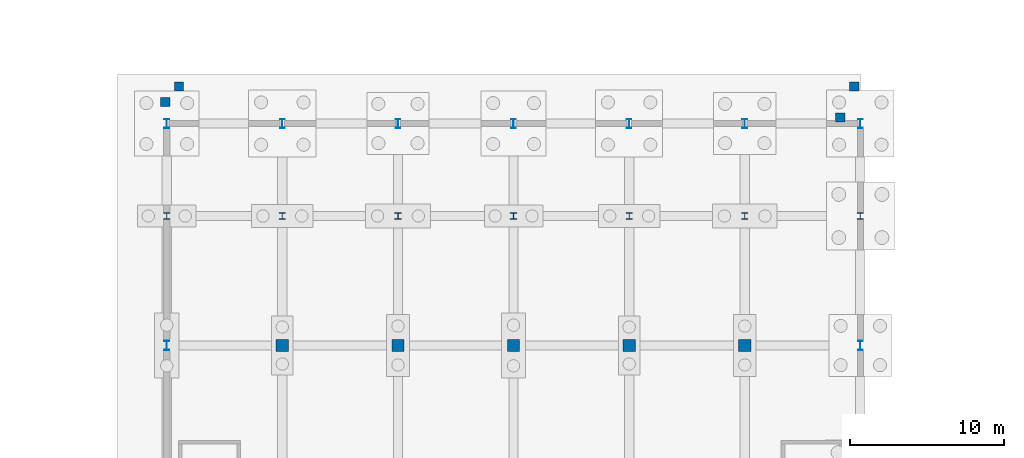
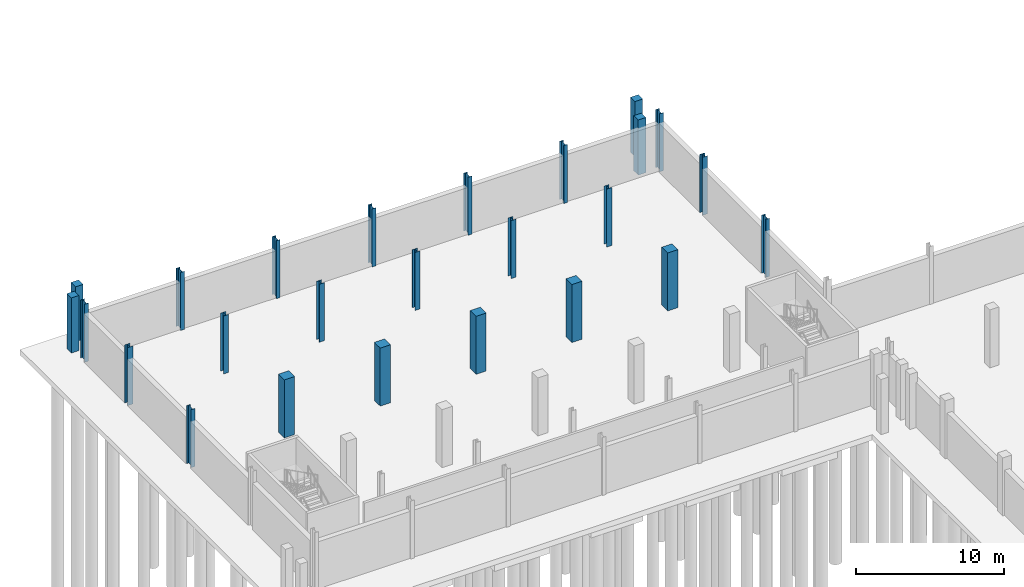
# One storey, part 24 of 44: 25 columns.
"""IFC4 building model written with IfcOpenShell, lengths in metres."""

from ifc_helpers import new_model, si_unit, direction, frame, origin, origin_2d, place, context, subcontext, project, spatial, rectangle, i_section, extrude, material, material_profile, profile_set, type_object, element, save


model = new_model("IFC4")

# Units and contexts
model_context = context("Model", 3, precision=1e-05, world=origin(), true_north=direction((0.0, 1.0)))
body_context = subcontext(model_context, "Body", "Model", "MODEL_VIEW")
ifc_project = project(units=[si_unit("LENGTHUNIT", "METRE"), si_unit("AREAUNIT", "SQUARE_METRE"), si_unit("VOLUMEUNIT", "CUBIC_METRE"), si_unit("PLANEANGLEUNIT", "RADIAN"), si_unit("MASSUNIT", "GRAM", prefix="KILO")], contexts=[model_context])

# Site, building, storey
site_placement = place(None, origin())
site = spatial("IfcSite", under=ifc_project, at=site_placement, CompositionType="ELEMENT")
building_placement = place(site_placement, origin())
building = spatial("IfcBuilding", under=site, at=building_placement, Name="Yukiwa Park Conservatory and Herbarium", CompositionType="ELEMENT")
storey_placement = place(building_placement, frame((0.0, 0.0, -4.800048828125)))
storey = spatial("IfcBuildingStorey", under=building, at=storey_placement, Name="B1", CompositionType="ELEMENT", Elevation=-4.800048828125)

# Columns
ifc_material_1 = material(Name="Steel Q355D", Category="steel")
ifc_material_profile_1 = material_profile(ifc_material_1, i_section(OverallWidth=0.300048828125, OverallDepth=0.587890625, WebThickness=0.011962890625, FlangeThickness=0.02001953125, FilletRadius=0.02392578125, at=origin_2d()), Name="HM 588x300x12x20")
ifc_profile_set_1 = profile_set([ifc_material_profile_1], Name="Steel Q355D")
column_type_1 = type_object("IfcColumnType", Name="COL-AU-HM588", PredefinedType="COLUMN", material=ifc_profile_set_1)
for number, where, z_axis, x_axis, name in (
    (1, (15.0, 94.800048828125, 0.0), (0.0, 0.0, 1.0), (1.0, 0.0, 0.0), "B1 column V4-X150-Y948"),
    (2, (15.0, 109.199951171875, 0.0), (0.0, 0.0, 1.0), (1.0, 0.0, 0.0), "B1 column V4-X150-Y1092"),
    (3, (22.5, 109.199951171875, 0.0), (0.0, 0.0, 1.0), (1.0, 0.0, 0.0), "B1 column V4-X225-Y1092"),
    (4, (30.0, 109.199951171875, 0.0), (0.0, 0.0, 1.0), (1.0, 0.0, 0.0), "B1 column V4-X300-Y1092"),
    (5, (37.5, 109.199951171875, 0.0), (0.0, 0.0, 1.0), (1.0, 0.0, 0.0), "B1 column V4-X375-Y1092"),
    (6, (45.0, 109.199951171875, 0.0), (0.0, 0.0, 1.0), (1.0, 0.0, 0.0), "B1 column V4-X450-Y1092"),
    (7, (52.5, 109.199951171875, 0.0), (0.0, 0.0, 1.0), (1.0, 0.0, 0.0), "B1 column V4-X525-Y1092"),
    (8, (60.0, 94.800048828125, 0.0), (0.0, 0.0, 1.0), (1.0, 0.0, 0.0), "B1 column V4-X600-Y948"),
    (9, (60.0, 109.199951171875, 0.0), (0.0, 0.0, 1.0), (1.0, 0.0, 0.0), "B1 column V4-X600-Y1092"),
):
    element("IfcColumn", number, at=place(storey_placement, frame(where, z_axis=z_axis, x_axis=x_axis)), inside=storey, type_object=column_type_1, Name=name, PredefinedType="COLUMN", context=body_context, shape_type="SweptSolid", body=[
        extrude(i_section(OverallWidth=0.300048828125, OverallDepth=0.587890625, WebThickness=0.011962890625, FlangeThickness=0.02001953125, FilletRadius=0.02392578125, at=origin_2d()), origin(), (0.0, 0.0, 1.0), 4.800048828125),
    ])
ifc_material_2 = material(Name="Concrete C40", Category="concrete")
ifc_material_profile_2 = material_profile(ifc_material_2, rectangle(XDim=0.60009765625, YDim=0.60009765625, at=origin_2d()), Name="RC 600x600")
ifc_profile_set_2 = profile_set([ifc_material_profile_2], Name="Concrete C40")
column_type_2 = type_object("IfcColumnType", Name="COL-B1-RC600", PredefinedType="COLUMN", material=ifc_profile_set_2)
for number, where, z_axis, x_axis, name in (
    (10, (14.89990234375, 110.60009765625, 0.0), (0.0, 0.0, 1.0), (1.0, 0.0, 0.0), "Exterior frost apron pier 5"),
    (11, (58.697021484375, 109.60009765625, 0.0), (0.0, 0.0, 1.0), (1.0, 0.0, 0.0), "Exterior frost apron pier 6"),
    (12, (59.60009765625, 111.60009765625, 0.0), (0.0, 0.0, 1.0), (1.0, 0.0, 0.0), "Exterior frost apron pier 7"),
    (13, (15.802978515625, 111.60009765625, 0.0), (0.0, 0.0, 1.0), (1.0, 0.0, 0.0), "Exterior frost apron pier 8"),
):
    element("IfcColumn", number, at=place(storey_placement, frame(where, z_axis=z_axis, x_axis=x_axis)), inside=storey, type_object=column_type_2, Name=name, PredefinedType="COLUMN", context=body_context, shape_type="SweptSolid", body=[
        extrude(rectangle(XDim=0.60009765625, YDim=0.60009765625, at=origin_2d()), origin(), (0.0, 0.0, 1.0), 4.56005859375),
    ])
ifc_material_3 = material(Name="Concrete C50", Category="concrete")
ifc_material_profile_3 = material_profile(ifc_material_3, rectangle(XDim=0.800048828125, YDim=0.800048828125, at=origin_2d()), Name="RC 800x800")
ifc_profile_set_3 = profile_set([ifc_material_profile_3], Name="Concrete C50")
column_type_3 = type_object("IfcColumnType", Name="COL-B1-RC800", PredefinedType="COLUMN", material=ifc_profile_set_3)
for number, where, z_axis, x_axis, name in (
    (14, (22.5, 94.800048828125, 0.0), (0.0, 0.0, 1.0), (1.0, 0.0, 0.0), "B1 column V4B-X225-Y948"),
    (15, (30.0, 94.800048828125, 0.0), (0.0, 0.0, 1.0), (1.0, 0.0, 0.0), "B1 column V4B-X300-Y948"),
    (16, (37.5, 94.800048828125, 0.0), (0.0, 0.0, 1.0), (1.0, 0.0, 0.0), "B1 column V4B-X375-Y948"),
    (17, (45.0, 94.800048828125, 0.0), (0.0, 0.0, 1.0), (1.0, 0.0, 0.0), "B1 column V4B-X450-Y948"),
    (18, (52.5, 94.800048828125, 0.0), (0.0, 0.0, 1.0), (1.0, 0.0, 0.0), "B1 column V4B-X525-Y948"),
):
    element("IfcColumn", number, at=place(storey_placement, frame(where, z_axis=z_axis, x_axis=x_axis)), inside=storey, type_object=column_type_3, Name=name, PredefinedType="COLUMN", context=body_context, shape_type="SweptSolid", body=[
        extrude(rectangle(XDim=0.800048828125, YDim=0.800048828125, at=origin_2d()), origin(), (0.0, 0.0, 1.0), 4.800048828125),
    ])
ifc_material_4 = material(Name="Steel Q355D", Category="steel")
ifc_material_profile_4 = material_profile(ifc_material_4, i_section(OverallWidth=0.39990234375, OverallDepth=0.39990234375, WebThickness=0.012939453125, FlangeThickness=0.02099609375, FilletRadius=0.02197265625, at=origin_2d()), Name="HW 400x400x13x21")
ifc_profile_set_4 = profile_set([ifc_material_profile_4], Name="Steel Q355D")
column_type_4 = type_object("IfcColumnType", Name="COL-TW-HW400", PredefinedType="COLUMN", material=ifc_profile_set_4)
for number, where, z_axis, x_axis, name in (
    (19, (15.0, 103.199951171875, 0.0), (0.0, 0.0, 1.0), (1.0, 0.0, 0.0), "B1 column V4-X150-Y1032"),
    (20, (22.5, 103.199951171875, 0.0), (0.0, 0.0, 1.0), (1.0, 0.0, 0.0), "B1 column V4-X225-Y1032"),
    (21, (30.0, 103.199951171875, 0.0), (0.0, 0.0, 1.0), (1.0, 0.0, 0.0), "B1 column V4-X300-Y1032"),
    (22, (37.5, 103.199951171875, 0.0), (0.0, 0.0, 1.0), (1.0, 0.0, 0.0), "B1 column V4-X375-Y1032"),
    (23, (45.0, 103.199951171875, 0.0), (0.0, 0.0, 1.0), (1.0, 0.0, 0.0), "B1 column V4-X450-Y1032"),
    (24, (52.5, 103.199951171875, 0.0), (0.0, 0.0, 1.0), (1.0, 0.0, 0.0), "B1 column V4-X525-Y1032"),
    (25, (60.0, 103.199951171875, 0.0), (0.0, 0.0, 1.0), (1.0, 0.0, 0.0), "B1 column V4-X600-Y1032"),
):
    element("IfcColumn", number, at=place(storey_placement, frame(where, z_axis=z_axis, x_axis=x_axis)), inside=storey, type_object=column_type_4, Name=name, PredefinedType="COLUMN", context=body_context, shape_type="SweptSolid", body=[
        extrude(i_section(OverallWidth=0.39990234375, OverallDepth=0.39990234375, WebThickness=0.012939453125, FlangeThickness=0.02099609375, FilletRadius=0.02197265625, at=origin_2d()), origin(), (0.0, 0.0, 1.0), 4.800048828125),
    ])

save(model, "model.ifc")
